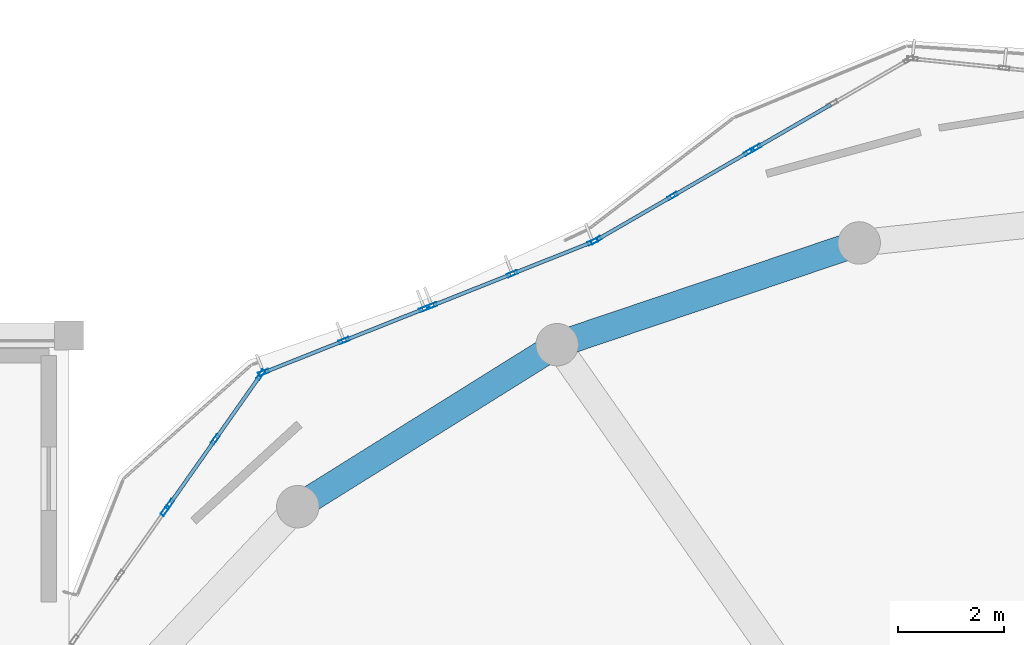
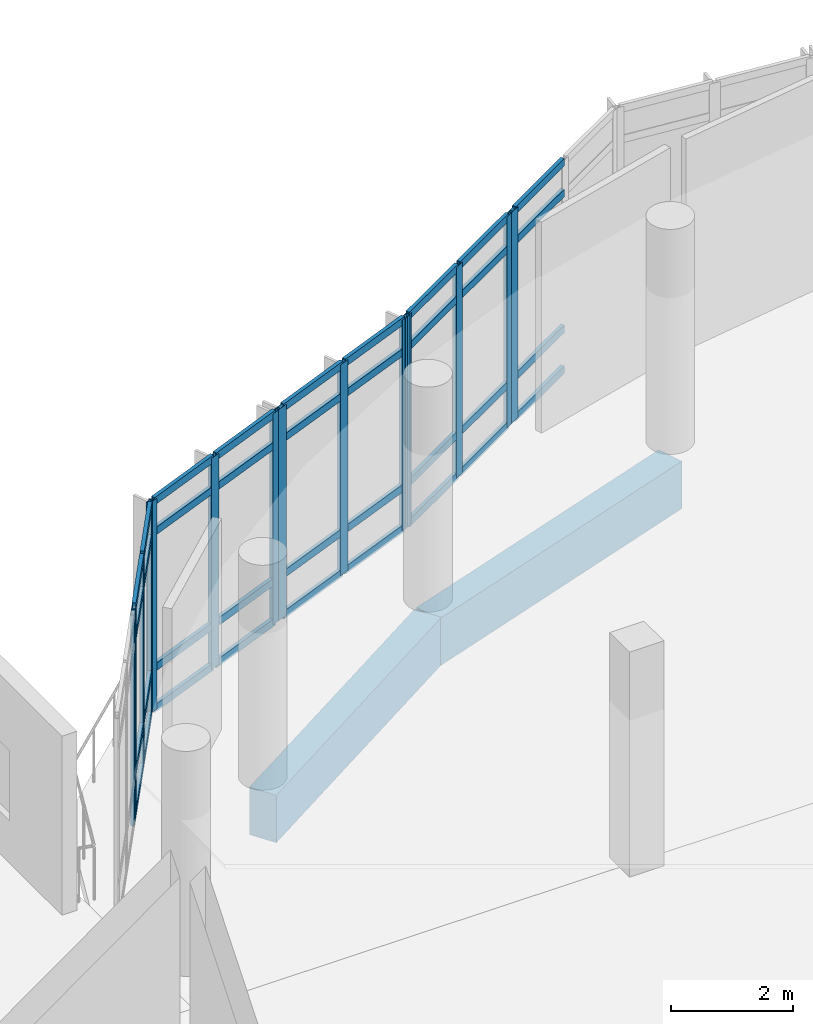
# One storey, part 12 of 46: 50 members, 2 beams, 6 elements without a shape of their own.
"""IFC4 building model written with IfcOpenShell, lengths in metres."""

from ifc_helpers import new_model, si_unit, derived_unit, direction, frame, origin, origin_2d, place, context, subcontext, project, spatial, rectangle, hollow_rectangle, extrude, material, layer, layer_set, material_profile, profile_set, type_object, element, aggregate, save


model = new_model("IFC4")

# Units and contexts
model_context = context("Model", 3, precision=1e-05, world=origin(), true_north=direction((0.0, 1.0)))
body_context = subcontext(model_context, "Body", "Model", "MODEL_VIEW")
ifc_project = project(units=[si_unit("LENGTHUNIT", "METRE"), si_unit("AREAUNIT", "SQUARE_METRE"), si_unit("VOLUMEUNIT", "CUBIC_METRE"), si_unit("PLANEANGLEUNIT", "RADIAN"), si_unit("MASSUNIT", "GRAM", prefix="KILO"), derived_unit("THERMALTRANSMITTANCEUNIT", [(si_unit("POWERUNIT", "WATT"), 1), (si_unit("LENGTHUNIT", "METRE"), -2), (si_unit("THERMODYNAMICTEMPERATUREUNIT", "KELVIN"), -1)])], contexts=[model_context])

# Site, building, storey
site_placement = place(None, origin())
site = spatial("IfcSite", under=ifc_project, at=site_placement, CompositionType="ELEMENT")
building_placement = place(site_placement, origin())
building = spatial("IfcBuilding", under=site, at=building_placement, Name="Elbkamm Science Centre", CompositionType="ELEMENT")
storey_placement = place(building_placement, frame((0.0, 0.0, 9.89990234375)))
storey = spatial("IfcBuildingStorey", under=building, at=storey_placement, Name="L02", CompositionType="ELEMENT", Elevation=9.89990234375)

# Beams
ifc_material_1 = material(Name="Concrete C40/50", Category="concrete")
ifc_material_profile_1 = material_profile(ifc_material_1, rectangle(XDim=0.5, YDim=0.949951171875, at=origin_2d()), Name="RC 500x950")
ifc_profile_set_1 = profile_set([ifc_material_profile_1], Name="Concrete C40/50")
beam_type = type_object("IfcBeamType", Name="BM-RC-500x950", PredefinedType="BEAM", material=ifc_profile_set_1)
beam_1_placement = place(storey_placement, frame((56.89208984375, 85.74609375, -0.77490234375), z_axis=(-0.947637651085, -0.319347588444, 0.0), x_axis=(0.319347588444, -0.947637651085, 0.0)))
element("IfcBeam", 1, at=beam_1_placement, inside=storey, type_object=beam_type, Name="L02 Elliptical Shell Perimeter Ring Beam 08", PredefinedType="SPANDREL", context=body_context, shape_type="SweptSolid", body=[
    extrude(rectangle(XDim=0.5, YDim=0.949951171875, at=origin_2d()), origin(), (0.0, 0.0, 1.0), 6.006591796875),
])
beam_2_placement = place(storey_placement, frame((51.199951171875, 83.827880859375, -0.77490234375), z_axis=(-0.848229099729, -0.529629487824, 0.0), x_axis=(0.529629487824, -0.848229099729, 0.0)))
element("IfcBeam", 2, at=beam_2_placement, inside=storey, type_object=beam_type, Name="L02 Elliptical Shell Perimeter Ring Beam 09", PredefinedType="SPANDREL", context=body_context, shape_type="SweptSolid", body=[
    extrude(rectangle(XDim=0.5, YDim=0.949951171875, at=origin_2d()), origin(), (0.0, 0.0, 1.0), 5.762451171875),
])

# Curtain wall, member
ifc_material_2 = material(Name="Powder-coated aluminium and triple low-E glazing", Category="aluminium")
ifc_layer_1 = layer(ifc_material_2, 0.159912109375)
ifc_layer_set_1 = layer_set([ifc_layer_1], Name="Powder-coated aluminium and triple low-E glazing")
curtain_wall_type_1 = type_object("IfcCurtainWallType", Name="CW-UNIT-3400x4220", PredefinedType="USERDEFINED", material=ifc_layer_set_1)
curtain_wall_1_placement = place(storey_placement, origin())
curtain_wall_1 = element("IfcCurtainWall", 3, at=curtain_wall_1_placement, inside=storey, type_object=curtain_wall_type_1, Name="L02 Unitised Curtain Wall 030", ObjectType="UNITISED CURTAIN WALL", PredefinedType="USERDEFINED")
ifc_material_3 = material(Name="Powder-coated aluminium EN AW-6060", Category="aluminium")
ifc_material_profile_2 = material_profile(ifc_material_3, hollow_rectangle(XDim=0.070068359375, YDim=0.199951171875, WallThickness=0.00439453125, at=origin_2d()), Name="ALU M70x200")
ifc_profile_set_2 = profile_set([ifc_material_profile_2], Name="Powder-coated aluminium EN AW-6060")
member_type_1 = type_object("IfcMemberType", Name="CW-MUL-70x200", PredefinedType="MULLION", material=ifc_profile_set_2)
member_1_placement = place(storey_placement, frame((54.947265625, 87.537841796875, 0.0), z_axis=(0.0, 0.0, 1.0), x_axis=(0.500320720834, -0.865840156324, 0.0)))
member_1 = element("IfcMember", 4, at=member_1_placement, type_object=member_type_1, Name="CW-014 mullion 3", PredefinedType="MULLION", context=body_context, shape_type="SweptSolid", body=[
    extrude(hollow_rectangle(XDim=0.070068359375, YDim=0.199951171875, WallThickness=0.00439453125, at=origin_2d()), origin(), (0.0, 0.0, 1.0), 4.22021484375),
])

# Curtain wall, members
curtain_wall_2_placement = place(storey_placement, origin())
curtain_wall_2 = element("IfcCurtainWall", 5, at=curtain_wall_2_placement, inside=storey, type_object=curtain_wall_type_1, Name="L02 Unitised Curtain Wall 031", ObjectType="UNITISED CURTAIN WALL", PredefinedType="USERDEFINED")
member_2_placement = place(storey_placement, frame((54.8173828125, 87.462890625, 0.0), z_axis=(0.0, 0.0, 1.0), x_axis=(0.500320720834, -0.865840156324, 0.0)))
member_2 = element("IfcMember", 6, at=member_2_placement, type_object=member_type_1, Name="CW-014 mullion 1", PredefinedType="MULLION", context=body_context, shape_type="SweptSolid", body=[
    extrude(hollow_rectangle(XDim=0.070068359375, YDim=0.199951171875, WallThickness=0.00439453125, at=origin_2d()), origin(), (0.0, 0.0, 1.0), 4.22021484375),
])
member_3_placement = place(storey_placement, frame((53.3759765625, 86.6298828125, 0.0), z_axis=(0.0, 0.0, 1.0), x_axis=(0.500320720834, -0.865840156324, 0.0)))
member_3 = element("IfcMember", 7, at=member_3_placement, type_object=member_type_1, Name="CW-014 mullion 2", PredefinedType="MULLION", context=body_context, shape_type="SweptSolid", body=[
    extrude(hollow_rectangle(XDim=0.070068359375, YDim=0.199951171875, WallThickness=0.00439453125, at=origin_2d()), origin(), (0.0, 0.0, 1.0), 4.22021484375),
])
member_4_placement = place(storey_placement, frame((51.934326171875, 85.796875, 0.0), z_axis=(0.0, 0.0, 1.0), x_axis=(0.500320720834, -0.865840156324, 0.0)))
member_4 = element("IfcMember", 8, at=member_4_placement, type_object=member_type_1, Name="CW-014 mullion 3", PredefinedType="MULLION", context=body_context, shape_type="SweptSolid", body=[
    extrude(hollow_rectangle(XDim=0.070068359375, YDim=0.199951171875, WallThickness=0.00439453125, at=origin_2d()), origin(), (0.0, 0.0, 1.0), 4.22021484375),
])

ifc_layer_2 = layer(ifc_material_2, 0.159912109375)
ifc_layer_set_2 = layer_set([ifc_layer_2], Name="Powder-coated aluminium and triple low-E glazing")
curtain_wall_type_2 = type_object("IfcCurtainWallType", Name="CW-UNIT-3340x4220", PredefinedType="USERDEFINED", material=ifc_layer_set_2)
curtain_wall_3_placement = place(storey_placement, origin())
curtain_wall_3 = element("IfcCurtainWall", 9, at=curtain_wall_3_placement, inside=storey, type_object=curtain_wall_type_2, Name="L02 Unitised Curtain Wall 032", ObjectType="UNITISED CURTAIN WALL", PredefinedType="USERDEFINED")
member_5_placement = place(storey_placement, frame((51.87158203125, 85.766357421875, 0.0), z_axis=(0.0, 0.0, 1.0), x_axis=(0.369160233621, -0.929365763256, 0.0)))
member_5 = element("IfcMember", 10, at=member_5_placement, type_object=member_type_1, Name="CW-013 mullion 1", PredefinedType="MULLION", context=body_context, shape_type="SweptSolid", body=[
    extrude(hollow_rectangle(XDim=0.070068359375, YDim=0.199951171875, WallThickness=0.00439453125, at=origin_2d()), origin(), (0.0, 0.0, 1.0), 4.22021484375),
])
member_6_placement = place(storey_placement, frame((50.355224609375, 85.1640625, 0.0), z_axis=(0.0, 0.0, 1.0), x_axis=(0.369160233621, -0.929365763256, 0.0)))
member_6 = element("IfcMember", 11, at=member_6_placement, type_object=member_type_1, Name="CW-013 mullion 2", PredefinedType="MULLION", context=body_context, shape_type="SweptSolid", body=[
    extrude(hollow_rectangle(XDim=0.070068359375, YDim=0.199951171875, WallThickness=0.00439453125, at=origin_2d()), origin(), (0.0, 0.0, 1.0), 4.22021484375),
])
member_7_placement = place(storey_placement, frame((48.8388671875, 84.561767578125, 0.0), z_axis=(0.0, 0.0, 1.0), x_axis=(0.369160233621, -0.929365763256, 0.0)))
member_7 = element("IfcMember", 12, at=member_7_placement, type_object=member_type_1, Name="CW-013 mullion 3", PredefinedType="MULLION", context=body_context, shape_type="SweptSolid", body=[
    extrude(hollow_rectangle(XDim=0.070068359375, YDim=0.199951171875, WallThickness=0.00439453125, at=origin_2d()), origin(), (0.0, 0.0, 1.0), 4.22021484375),
])

curtain_wall_4_placement = place(storey_placement, origin())
curtain_wall_4 = element("IfcCurtainWall", 13, at=curtain_wall_4_placement, inside=storey, type_object=curtain_wall_type_2, Name="L02 Unitised Curtain Wall 033", ObjectType="UNITISED CURTAIN WALL", PredefinedType="USERDEFINED")
member_8_placement = place(storey_placement, frame((48.699462890625, 84.506591796875, 0.0), z_axis=(0.0, 0.0, 1.0), x_axis=(0.369160233621, -0.929365763256, 0.0)))
member_8 = element("IfcMember", 14, at=member_8_placement, type_object=member_type_1, Name="CW-013 mullion 1", PredefinedType="MULLION", context=body_context, shape_type="SweptSolid", body=[
    extrude(hollow_rectangle(XDim=0.070068359375, YDim=0.199951171875, WallThickness=0.00439453125, at=origin_2d()), origin(), (0.0, 0.0, 1.0), 4.22021484375),
])
member_9_placement = place(storey_placement, frame((47.18310546875, 83.904052734375, 0.0), z_axis=(0.0, 0.0, 1.0), x_axis=(0.369160233621, -0.929365763256, 0.0)))
member_9 = element("IfcMember", 15, at=member_9_placement, type_object=member_type_1, Name="CW-013 mullion 2", PredefinedType="MULLION", context=body_context, shape_type="SweptSolid", body=[
    extrude(hollow_rectangle(XDim=0.070068359375, YDim=0.199951171875, WallThickness=0.00439453125, at=origin_2d()), origin(), (0.0, 0.0, 1.0), 4.22021484375),
])
member_10_placement = place(storey_placement, frame((45.666748046875, 83.3017578125, 0.0), z_axis=(0.0, 0.0, 1.0), x_axis=(0.369160233621, -0.929365763256, 0.0)))
member_10 = element("IfcMember", 16, at=member_10_placement, type_object=member_type_1, Name="CW-013 mullion 3", PredefinedType="MULLION", context=body_context, shape_type="SweptSolid", body=[
    extrude(hollow_rectangle(XDim=0.070068359375, YDim=0.199951171875, WallThickness=0.00439453125, at=origin_2d()), origin(), (0.0, 0.0, 1.0), 4.22021484375),
])

ifc_layer_3 = layer(ifc_material_2, 0.159912109375)
ifc_layer_set_3 = layer_set([ifc_layer_3], Name="Powder-coated aluminium and triple low-E glazing")
curtain_wall_type_3 = type_object("IfcCurtainWallType", Name="CW-UNIT-3060x4220", PredefinedType="USERDEFINED", material=ifc_layer_set_3)
curtain_wall_5_placement = place(storey_placement, origin())
curtain_wall_5 = element("IfcCurtainWall", 17, at=curtain_wall_5_placement, inside=storey, type_object=curtain_wall_type_3, Name="L02 Unitised Curtain Wall 034", ObjectType="UNITISED CURTAIN WALL", PredefinedType="USERDEFINED")
member_11_placement = place(storey_placement, frame((45.614013671875, 83.26025390625, 0.0), z_axis=(0.0, 0.0, 1.0), x_axis=(0.817694968929, -0.575651750443, 0.0)))
member_11 = element("IfcMember", 18, at=member_11_placement, type_object=member_type_1, Name="CW-012 mullion 1", PredefinedType="MULLION", context=body_context, shape_type="SweptSolid", body=[
    extrude(hollow_rectangle(XDim=0.070068359375, YDim=0.199951171875, WallThickness=0.00439453125, at=origin_2d()), origin(), (0.0, 0.0, 1.0), 4.22021484375),
])
member_12_placement = place(storey_placement, frame((44.75634765625, 82.041748046875, 0.0), z_axis=(0.0, 0.0, 1.0), x_axis=(0.817694968929, -0.575651750443, 0.0)))
member_12 = element("IfcMember", 19, at=member_12_placement, type_object=member_type_1, Name="CW-012 mullion 2", PredefinedType="MULLION", context=body_context, shape_type="SweptSolid", body=[
    extrude(hollow_rectangle(XDim=0.070068359375, YDim=0.199951171875, WallThickness=0.00439453125, at=origin_2d()), origin(), (0.0, 0.0, 1.0), 4.22021484375),
])
member_13_placement = place(storey_placement, frame((43.8984375, 80.8232421875, 0.0), z_axis=(0.0, 0.0, 1.0), x_axis=(0.817694968929, -0.575651750443, 0.0)))
member_13 = element("IfcMember", 20, at=member_13_placement, type_object=member_type_1, Name="CW-012 mullion 3", PredefinedType="MULLION", context=body_context, shape_type="SweptSolid", body=[
    extrude(hollow_rectangle(XDim=0.070068359375, YDim=0.199951171875, WallThickness=0.00439453125, at=origin_2d()), origin(), (0.0, 0.0, 1.0), 4.22021484375),
])

# Curtain wall, member
curtain_wall_6_placement = place(storey_placement, origin())
curtain_wall_6 = element("IfcCurtainWall", 21, at=curtain_wall_6_placement, inside=storey, type_object=curtain_wall_type_3, Name="L02 Unitised Curtain Wall 035", ObjectType="UNITISED CURTAIN WALL", PredefinedType="USERDEFINED")
member_14_placement = place(storey_placement, frame((43.81201171875, 80.70068359375, 0.0), z_axis=(0.0, 0.0, 1.0), x_axis=(0.817694968929, -0.575651750443, 0.0)))
member_14 = element("IfcMember", 22, at=member_14_placement, type_object=member_type_1, Name="CW-012 mullion 1", PredefinedType="MULLION", context=body_context, shape_type="SweptSolid", body=[
    extrude(hollow_rectangle(XDim=0.070068359375, YDim=0.199951171875, WallThickness=0.00439453125, at=origin_2d()), origin(), (0.0, 0.0, 1.0), 4.22021484375),
])
aggregate(curtain_wall_6, [member_14])

# Member
ifc_material_profile_3 = material_profile(ifc_material_3, hollow_rectangle(XDim=0.070068359375, YDim=0.14990234375, WallThickness=0.00390625, at=origin_2d()), Name="ALU T70x150")
ifc_profile_set_3 = profile_set([ifc_material_profile_3], Name="Powder-coated aluminium EN AW-6060")
member_type_2 = type_object("IfcMemberType", Name="CW-TRN-70x150", PredefinedType="USERDEFINED", material=ifc_profile_set_3)
member_15_placement = place(storey_placement, frame((56.358642578125, 88.353271484375, 0.03515625), z_axis=(-0.865897486854, -0.500221493201, 0.0), x_axis=(0.500221493201, -0.865897486854, 0.0)))
member_15 = element("IfcMember", 23, at=member_15_placement, type_object=member_type_2, Name="CW-014 transom 2.1", ObjectType="TRANSOM", PredefinedType="USERDEFINED", context=body_context, shape_type="SweptSolid", body=[
    extrude(hollow_rectangle(XDim=0.070068359375, YDim=0.14990234375, WallThickness=0.00390625, at=origin_2d()), origin(), (0.0, 0.0, 1.0), 1.594970703125),
])

member_16_placement = place(storey_placement, frame((56.358642578125, 88.353271484375, 0.85009765625), z_axis=(-0.865897486854, -0.500221493201, 0.0), x_axis=(0.500221493201, -0.865897486854, 0.0)))
member_16 = element("IfcMember", 24, at=member_16_placement, type_object=member_type_2, Name="CW-014 transom 2.2", ObjectType="TRANSOM", PredefinedType="USERDEFINED", context=body_context, shape_type="SweptSolid", body=[
    extrude(hollow_rectangle(XDim=0.070068359375, YDim=0.14990234375, WallThickness=0.00390625, at=origin_2d()), origin(), (0.0, 0.0, 1.0), 1.594970703125),
])

member_17_placement = place(storey_placement, frame((56.358642578125, 88.353271484375, 3.570068359375), z_axis=(-0.865897486854, -0.500221493201, 0.0), x_axis=(0.500221493201, -0.865897486854, 0.0)))
member_17 = element("IfcMember", 25, at=member_17_placement, type_object=member_type_2, Name="CW-014 transom 2.3", ObjectType="TRANSOM", PredefinedType="USERDEFINED", context=body_context, shape_type="SweptSolid", body=[
    extrude(hollow_rectangle(XDim=0.070068359375, YDim=0.14990234375, WallThickness=0.00390625, at=origin_2d()), origin(), (0.0, 0.0, 1.0), 1.594970703125),
])

member_18_placement = place(storey_placement, frame((56.358642578125, 88.353271484375, 4.18505859375), z_axis=(-0.865897486854, -0.500221493201, 0.0), x_axis=(0.500221493201, -0.865897486854, 0.0)))
member_18 = element("IfcMember", 26, at=member_18_placement, type_object=member_type_2, Name="CW-014 transom 2.4", ObjectType="TRANSOM", PredefinedType="USERDEFINED", context=body_context, shape_type="SweptSolid", body=[
    extrude(hollow_rectangle(XDim=0.070068359375, YDim=0.14990234375, WallThickness=0.00390625, at=origin_2d()), origin(), (0.0, 0.0, 1.0), 1.594970703125),
])

aggregate(curtain_wall_1, [member_1, member_15, member_16, member_17, member_18])

member_19_placement = place(storey_placement, frame((54.787109375, 87.4453125, 0.03515625), z_axis=(-0.865859178689, -0.500287799851, 0.0), x_axis=(0.500287799851, -0.865859178689, 0.0)))
member_19 = element("IfcMember", 27, at=member_19_placement, type_object=member_type_2, Name="CW-014 transom 1.1", ObjectType="TRANSOM", PredefinedType="USERDEFINED", context=body_context, shape_type="SweptSolid", body=[
    extrude(hollow_rectangle(XDim=0.070068359375, YDim=0.14990234375, WallThickness=0.00390625, at=origin_2d()), origin(), (0.0, 0.0, 1.0), 1.5947265625),
])

member_20_placement = place(storey_placement, frame((54.787109375, 87.4453125, 0.85009765625), z_axis=(-0.865859178689, -0.500287799851, 0.0), x_axis=(0.500287799851, -0.865859178689, 0.0)))
member_20 = element("IfcMember", 28, at=member_20_placement, type_object=member_type_2, Name="CW-014 transom 1.2", ObjectType="TRANSOM", PredefinedType="USERDEFINED", context=body_context, shape_type="SweptSolid", body=[
    extrude(hollow_rectangle(XDim=0.070068359375, YDim=0.14990234375, WallThickness=0.00390625, at=origin_2d()), origin(), (0.0, 0.0, 1.0), 1.5947265625),
])

member_21_placement = place(storey_placement, frame((54.787109375, 87.4453125, 3.570068359375), z_axis=(-0.865859178689, -0.500287799851, 0.0), x_axis=(0.500287799851, -0.865859178689, 0.0)))
member_21 = element("IfcMember", 29, at=member_21_placement, type_object=member_type_2, Name="CW-014 transom 1.3", ObjectType="TRANSOM", PredefinedType="USERDEFINED", context=body_context, shape_type="SweptSolid", body=[
    extrude(hollow_rectangle(XDim=0.070068359375, YDim=0.14990234375, WallThickness=0.00390625, at=origin_2d()), origin(), (0.0, 0.0, 1.0), 1.5947265625),
])

member_22_placement = place(storey_placement, frame((54.787109375, 87.4453125, 4.18505859375), z_axis=(-0.865859178689, -0.500287799851, 0.0), x_axis=(0.500287799851, -0.865859178689, 0.0)))
member_22 = element("IfcMember", 30, at=member_22_placement, type_object=member_type_2, Name="CW-014 transom 1.4", ObjectType="TRANSOM", PredefinedType="USERDEFINED", context=body_context, shape_type="SweptSolid", body=[
    extrude(hollow_rectangle(XDim=0.070068359375, YDim=0.14990234375, WallThickness=0.00390625, at=origin_2d()), origin(), (0.0, 0.0, 1.0), 1.5947265625),
])

member_23_placement = place(storey_placement, frame((53.345703125, 86.6123046875, 0.03515625), z_axis=(-0.865897486854, -0.500221493201, 0.0), x_axis=(0.500221493201, -0.865897486854, 0.0)))
member_23 = element("IfcMember", 31, at=member_23_placement, type_object=member_type_2, Name="CW-014 transom 2.1", ObjectType="TRANSOM", PredefinedType="USERDEFINED", context=body_context, shape_type="SweptSolid", body=[
    extrude(hollow_rectangle(XDim=0.070068359375, YDim=0.14990234375, WallThickness=0.00390625, at=origin_2d()), origin(), (0.0, 0.0, 1.0), 1.594970703125),
])

member_24_placement = place(storey_placement, frame((53.345703125, 86.6123046875, 0.85009765625), z_axis=(-0.865897486854, -0.500221493201, 0.0), x_axis=(0.500221493201, -0.865897486854, 0.0)))
member_24 = element("IfcMember", 32, at=member_24_placement, type_object=member_type_2, Name="CW-014 transom 2.2", ObjectType="TRANSOM", PredefinedType="USERDEFINED", context=body_context, shape_type="SweptSolid", body=[
    extrude(hollow_rectangle(XDim=0.070068359375, YDim=0.14990234375, WallThickness=0.00390625, at=origin_2d()), origin(), (0.0, 0.0, 1.0), 1.594970703125),
])

member_25_placement = place(storey_placement, frame((53.345703125, 86.6123046875, 3.570068359375), z_axis=(-0.865897486854, -0.500221493201, 0.0), x_axis=(0.500221493201, -0.865897486854, 0.0)))
member_25 = element("IfcMember", 33, at=member_25_placement, type_object=member_type_2, Name="CW-014 transom 2.3", ObjectType="TRANSOM", PredefinedType="USERDEFINED", context=body_context, shape_type="SweptSolid", body=[
    extrude(hollow_rectangle(XDim=0.070068359375, YDim=0.14990234375, WallThickness=0.00390625, at=origin_2d()), origin(), (0.0, 0.0, 1.0), 1.594970703125),
])

member_26_placement = place(storey_placement, frame((53.345703125, 86.6123046875, 4.18505859375), z_axis=(-0.865897486854, -0.500221493201, 0.0), x_axis=(0.500221493201, -0.865897486854, 0.0)))
member_26 = element("IfcMember", 34, at=member_26_placement, type_object=member_type_2, Name="CW-014 transom 2.4", ObjectType="TRANSOM", PredefinedType="USERDEFINED", context=body_context, shape_type="SweptSolid", body=[
    extrude(hollow_rectangle(XDim=0.070068359375, YDim=0.14990234375, WallThickness=0.00390625, at=origin_2d()), origin(), (0.0, 0.0, 1.0), 1.594970703125),
])

aggregate(curtain_wall_2, [member_2, member_3, member_4, member_19, member_20, member_21, member_22, member_23, member_24, member_25, member_26])

member_27_placement = place(storey_placement, frame((51.839111328125, 85.753662109375, 0.03515625), z_axis=(-0.929336655682, -0.369233503906, 0.0), x_axis=(0.369233503906, -0.929336655682, 0.0)))
member_27 = element("IfcMember", 35, at=member_27_placement, type_object=member_type_2, Name="CW-013 transom 1.1", ObjectType="TRANSOM", PredefinedType="USERDEFINED", context=body_context, shape_type="SweptSolid", body=[
    extrude(hollow_rectangle(XDim=0.070068359375, YDim=0.14990234375, WallThickness=0.00390625, at=origin_2d()), origin(), (0.0, 0.0, 1.0), 1.561767578125),
])

member_28_placement = place(storey_placement, frame((51.839111328125, 85.753662109375, 0.85009765625), z_axis=(-0.929336655682, -0.369233503906, 0.0), x_axis=(0.369233503906, -0.929336655682, 0.0)))
member_28 = element("IfcMember", 36, at=member_28_placement, type_object=member_type_2, Name="CW-013 transom 1.2", ObjectType="TRANSOM", PredefinedType="USERDEFINED", context=body_context, shape_type="SweptSolid", body=[
    extrude(hollow_rectangle(XDim=0.070068359375, YDim=0.14990234375, WallThickness=0.00390625, at=origin_2d()), origin(), (0.0, 0.0, 1.0), 1.561767578125),
])

member_29_placement = place(storey_placement, frame((51.839111328125, 85.753662109375, 3.570068359375), z_axis=(-0.929336655682, -0.369233503906, 0.0), x_axis=(0.369233503906, -0.929336655682, 0.0)))
member_29 = element("IfcMember", 37, at=member_29_placement, type_object=member_type_2, Name="CW-013 transom 1.3", ObjectType="TRANSOM", PredefinedType="USERDEFINED", context=body_context, shape_type="SweptSolid", body=[
    extrude(hollow_rectangle(XDim=0.070068359375, YDim=0.14990234375, WallThickness=0.00390625, at=origin_2d()), origin(), (0.0, 0.0, 1.0), 1.561767578125),
])

member_30_placement = place(storey_placement, frame((51.839111328125, 85.753662109375, 4.18505859375), z_axis=(-0.929336655682, -0.369233503906, 0.0), x_axis=(0.369233503906, -0.929336655682, 0.0)))
member_30 = element("IfcMember", 38, at=member_30_placement, type_object=member_type_2, Name="CW-013 transom 1.4", ObjectType="TRANSOM", PredefinedType="USERDEFINED", context=body_context, shape_type="SweptSolid", body=[
    extrude(hollow_rectangle(XDim=0.070068359375, YDim=0.14990234375, WallThickness=0.00390625, at=origin_2d()), origin(), (0.0, 0.0, 1.0), 1.561767578125),
])

member_31_placement = place(storey_placement, frame((50.32275390625, 85.151123046875, 0.03515625), z_axis=(-0.929390289785, -0.36909848178, 0.0), x_axis=(0.36909848178, -0.929390289785, 0.0)))
member_31 = element("IfcMember", 39, at=member_31_placement, type_object=member_type_2, Name="CW-013 transom 2.1", ObjectType="TRANSOM", PredefinedType="USERDEFINED", context=body_context, shape_type="SweptSolid", body=[
    extrude(hollow_rectangle(XDim=0.070068359375, YDim=0.14990234375, WallThickness=0.00390625, at=origin_2d()), origin(), (0.0, 0.0, 1.0), 1.561767578125),
])

member_32_placement = place(storey_placement, frame((50.32275390625, 85.151123046875, 0.85009765625), z_axis=(-0.929390289785, -0.36909848178, 0.0), x_axis=(0.36909848178, -0.929390289785, 0.0)))
member_32 = element("IfcMember", 40, at=member_32_placement, type_object=member_type_2, Name="CW-013 transom 2.2", ObjectType="TRANSOM", PredefinedType="USERDEFINED", context=body_context, shape_type="SweptSolid", body=[
    extrude(hollow_rectangle(XDim=0.070068359375, YDim=0.14990234375, WallThickness=0.00390625, at=origin_2d()), origin(), (0.0, 0.0, 1.0), 1.561767578125),
])

member_33_placement = place(storey_placement, frame((50.32275390625, 85.151123046875, 3.570068359375), z_axis=(-0.929390289785, -0.36909848178, 0.0), x_axis=(0.36909848178, -0.929390289785, 0.0)))
member_33 = element("IfcMember", 41, at=member_33_placement, type_object=member_type_2, Name="CW-013 transom 2.3", ObjectType="TRANSOM", PredefinedType="USERDEFINED", context=body_context, shape_type="SweptSolid", body=[
    extrude(hollow_rectangle(XDim=0.070068359375, YDim=0.14990234375, WallThickness=0.00390625, at=origin_2d()), origin(), (0.0, 0.0, 1.0), 1.561767578125),
])

member_34_placement = place(storey_placement, frame((50.32275390625, 85.151123046875, 4.18505859375), z_axis=(-0.929390289785, -0.36909848178, 0.0), x_axis=(0.36909848178, -0.929390289785, 0.0)))
member_34 = element("IfcMember", 42, at=member_34_placement, type_object=member_type_2, Name="CW-013 transom 2.4", ObjectType="TRANSOM", PredefinedType="USERDEFINED", context=body_context, shape_type="SweptSolid", body=[
    extrude(hollow_rectangle(XDim=0.070068359375, YDim=0.14990234375, WallThickness=0.00390625, at=origin_2d()), origin(), (0.0, 0.0, 1.0), 1.561767578125),
])

aggregate(curtain_wall_3, [member_5, member_6, member_7, member_27, member_28, member_29, member_30, member_31, member_32, member_33, member_34])

member_35_placement = place(storey_placement, frame((48.6669921875, 84.49365234375, 0.03515625), z_axis=(-0.929336655682, -0.369233503906, 0.0), x_axis=(0.369233503906, -0.929336655682, 0.0)))
member_35 = element("IfcMember", 43, at=member_35_placement, type_object=member_type_2, Name="CW-013 transom 1.1", ObjectType="TRANSOM", PredefinedType="USERDEFINED", context=body_context, shape_type="SweptSolid", body=[
    extrude(hollow_rectangle(XDim=0.070068359375, YDim=0.14990234375, WallThickness=0.00390625, at=origin_2d()), origin(), (0.0, 0.0, 1.0), 1.561767578125),
])

member_36_placement = place(storey_placement, frame((48.6669921875, 84.49365234375, 0.85009765625), z_axis=(-0.929336655682, -0.369233503906, 0.0), x_axis=(0.369233503906, -0.929336655682, 0.0)))
member_36 = element("IfcMember", 44, at=member_36_placement, type_object=member_type_2, Name="CW-013 transom 1.2", ObjectType="TRANSOM", PredefinedType="USERDEFINED", context=body_context, shape_type="SweptSolid", body=[
    extrude(hollow_rectangle(XDim=0.070068359375, YDim=0.14990234375, WallThickness=0.00390625, at=origin_2d()), origin(), (0.0, 0.0, 1.0), 1.561767578125),
])

member_37_placement = place(storey_placement, frame((48.6669921875, 84.49365234375, 3.570068359375), z_axis=(-0.929336655682, -0.369233503906, 0.0), x_axis=(0.369233503906, -0.929336655682, 0.0)))
member_37 = element("IfcMember", 45, at=member_37_placement, type_object=member_type_2, Name="CW-013 transom 1.3", ObjectType="TRANSOM", PredefinedType="USERDEFINED", context=body_context, shape_type="SweptSolid", body=[
    extrude(hollow_rectangle(XDim=0.070068359375, YDim=0.14990234375, WallThickness=0.00390625, at=origin_2d()), origin(), (0.0, 0.0, 1.0), 1.561767578125),
])

member_38_placement = place(storey_placement, frame((48.6669921875, 84.49365234375, 4.18505859375), z_axis=(-0.929336655682, -0.369233503906, 0.0), x_axis=(0.369233503906, -0.929336655682, 0.0)))
member_38 = element("IfcMember", 46, at=member_38_placement, type_object=member_type_2, Name="CW-013 transom 1.4", ObjectType="TRANSOM", PredefinedType="USERDEFINED", context=body_context, shape_type="SweptSolid", body=[
    extrude(hollow_rectangle(XDim=0.070068359375, YDim=0.14990234375, WallThickness=0.00390625, at=origin_2d()), origin(), (0.0, 0.0, 1.0), 1.561767578125),
])

member_39_placement = place(storey_placement, frame((47.150634765625, 83.89111328125, 0.03515625), z_axis=(-0.929390289785, -0.36909848178, 0.0), x_axis=(0.36909848178, -0.929390289785, 0.0)))
member_39 = element("IfcMember", 47, at=member_39_placement, type_object=member_type_2, Name="CW-013 transom 2.1", ObjectType="TRANSOM", PredefinedType="USERDEFINED", context=body_context, shape_type="SweptSolid", body=[
    extrude(hollow_rectangle(XDim=0.070068359375, YDim=0.14990234375, WallThickness=0.00390625, at=origin_2d()), origin(), (0.0, 0.0, 1.0), 1.561767578125),
])

member_40_placement = place(storey_placement, frame((47.150634765625, 83.89111328125, 0.85009765625), z_axis=(-0.929390289785, -0.36909848178, 0.0), x_axis=(0.36909848178, -0.929390289785, 0.0)))
member_40 = element("IfcMember", 48, at=member_40_placement, type_object=member_type_2, Name="CW-013 transom 2.2", ObjectType="TRANSOM", PredefinedType="USERDEFINED", context=body_context, shape_type="SweptSolid", body=[
    extrude(hollow_rectangle(XDim=0.070068359375, YDim=0.14990234375, WallThickness=0.00390625, at=origin_2d()), origin(), (0.0, 0.0, 1.0), 1.561767578125),
])

member_41_placement = place(storey_placement, frame((47.150634765625, 83.89111328125, 3.570068359375), z_axis=(-0.929390289785, -0.36909848178, 0.0), x_axis=(0.36909848178, -0.929390289785, 0.0)))
member_41 = element("IfcMember", 49, at=member_41_placement, type_object=member_type_2, Name="CW-013 transom 2.3", ObjectType="TRANSOM", PredefinedType="USERDEFINED", context=body_context, shape_type="SweptSolid", body=[
    extrude(hollow_rectangle(XDim=0.070068359375, YDim=0.14990234375, WallThickness=0.00390625, at=origin_2d()), origin(), (0.0, 0.0, 1.0), 1.561767578125),
])

member_42_placement = place(storey_placement, frame((47.150634765625, 83.89111328125, 4.18505859375), z_axis=(-0.929390289785, -0.36909848178, 0.0), x_axis=(0.36909848178, -0.929390289785, 0.0)))
member_42 = element("IfcMember", 50, at=member_42_placement, type_object=member_type_2, Name="CW-013 transom 2.4", ObjectType="TRANSOM", PredefinedType="USERDEFINED", context=body_context, shape_type="SweptSolid", body=[
    extrude(hollow_rectangle(XDim=0.070068359375, YDim=0.14990234375, WallThickness=0.00390625, at=origin_2d()), origin(), (0.0, 0.0, 1.0), 1.561767578125),
])

aggregate(curtain_wall_4, [member_8, member_9, member_10, member_35, member_36, member_37, member_38, member_39, member_40, member_41, member_42])

member_43_placement = place(storey_placement, frame((45.593994140625, 83.231689453125, 0.03515625), z_axis=(-0.575663707935, -0.817686550805, 0.0), x_axis=(0.817686550805, -0.575663707935, 0.0)))
member_43 = element("IfcMember", 51, at=member_43_placement, type_object=member_type_2, Name="CW-012 transom 1.1", ObjectType="TRANSOM", PredefinedType="USERDEFINED", context=body_context, shape_type="SweptSolid", body=[
    extrude(hollow_rectangle(XDim=0.070068359375, YDim=0.14990234375, WallThickness=0.00390625, at=origin_2d()), origin(), (0.0, 0.0, 1.0), 1.42041015625),
])

member_44_placement = place(storey_placement, frame((45.593994140625, 83.231689453125, 0.85009765625), z_axis=(-0.575663707935, -0.817686550805, 0.0), x_axis=(0.817686550805, -0.575663707935, 0.0)))
member_44 = element("IfcMember", 52, at=member_44_placement, type_object=member_type_2, Name="CW-012 transom 1.2", ObjectType="TRANSOM", PredefinedType="USERDEFINED", context=body_context, shape_type="SweptSolid", body=[
    extrude(hollow_rectangle(XDim=0.070068359375, YDim=0.14990234375, WallThickness=0.00390625, at=origin_2d()), origin(), (0.0, 0.0, 1.0), 1.42041015625),
])

member_45_placement = place(storey_placement, frame((45.593994140625, 83.231689453125, 3.570068359375), z_axis=(-0.575663707935, -0.817686550805, 0.0), x_axis=(0.817686550805, -0.575663707935, 0.0)))
member_45 = element("IfcMember", 53, at=member_45_placement, type_object=member_type_2, Name="CW-012 transom 1.3", ObjectType="TRANSOM", PredefinedType="USERDEFINED", context=body_context, shape_type="SweptSolid", body=[
    extrude(hollow_rectangle(XDim=0.070068359375, YDim=0.14990234375, WallThickness=0.00390625, at=origin_2d()), origin(), (0.0, 0.0, 1.0), 1.42041015625),
])

member_46_placement = place(storey_placement, frame((45.593994140625, 83.231689453125, 4.18505859375), z_axis=(-0.575663707935, -0.817686550805, 0.0), x_axis=(0.817686550805, -0.575663707935, 0.0)))
member_46 = element("IfcMember", 54, at=member_46_placement, type_object=member_type_2, Name="CW-012 transom 1.4", ObjectType="TRANSOM", PredefinedType="USERDEFINED", context=body_context, shape_type="SweptSolid", body=[
    extrude(hollow_rectangle(XDim=0.070068359375, YDim=0.14990234375, WallThickness=0.00390625, at=origin_2d()), origin(), (0.0, 0.0, 1.0), 1.42041015625),
])

member_47_placement = place(storey_placement, frame((44.736083984375, 82.01318359375, 0.03515625), z_axis=(-0.575629682216, -0.817710504367, 0.0), x_axis=(0.817710504367, -0.575629682216, 0.0)))
member_47 = element("IfcMember", 55, at=member_47_placement, type_object=member_type_2, Name="CW-012 transom 2.1", ObjectType="TRANSOM", PredefinedType="USERDEFINED", context=body_context, shape_type="SweptSolid", body=[
    extrude(hollow_rectangle(XDim=0.070068359375, YDim=0.14990234375, WallThickness=0.00390625, at=origin_2d()), origin(), (0.0, 0.0, 1.0), 1.419921875),
])

member_48_placement = place(storey_placement, frame((44.736083984375, 82.01318359375, 0.85009765625), z_axis=(-0.575629682216, -0.817710504367, 0.0), x_axis=(0.817710504367, -0.575629682216, 0.0)))
member_48 = element("IfcMember", 56, at=member_48_placement, type_object=member_type_2, Name="CW-012 transom 2.2", ObjectType="TRANSOM", PredefinedType="USERDEFINED", context=body_context, shape_type="SweptSolid", body=[
    extrude(hollow_rectangle(XDim=0.070068359375, YDim=0.14990234375, WallThickness=0.00390625, at=origin_2d()), origin(), (0.0, 0.0, 1.0), 1.419921875),
])

member_49_placement = place(storey_placement, frame((44.736083984375, 82.01318359375, 3.570068359375), z_axis=(-0.575629682216, -0.817710504367, 0.0), x_axis=(0.817710504367, -0.575629682216, 0.0)))
member_49 = element("IfcMember", 57, at=member_49_placement, type_object=member_type_2, Name="CW-012 transom 2.3", ObjectType="TRANSOM", PredefinedType="USERDEFINED", context=body_context, shape_type="SweptSolid", body=[
    extrude(hollow_rectangle(XDim=0.070068359375, YDim=0.14990234375, WallThickness=0.00390625, at=origin_2d()), origin(), (0.0, 0.0, 1.0), 1.419921875),
])

member_50_placement = place(storey_placement, frame((44.736083984375, 82.01318359375, 4.18505859375), z_axis=(-0.575629682216, -0.817710504367, 0.0), x_axis=(0.817710504367, -0.575629682216, 0.0)))
member_50 = element("IfcMember", 58, at=member_50_placement, type_object=member_type_2, Name="CW-012 transom 2.4", ObjectType="TRANSOM", PredefinedType="USERDEFINED", context=body_context, shape_type="SweptSolid", body=[
    extrude(hollow_rectangle(XDim=0.070068359375, YDim=0.14990234375, WallThickness=0.00390625, at=origin_2d()), origin(), (0.0, 0.0, 1.0), 1.419921875),
])

aggregate(curtain_wall_5, [member_11, member_12, member_13, member_43, member_44, member_45, member_46, member_47, member_48, member_49, member_50])

save(model, "model.ifc")
